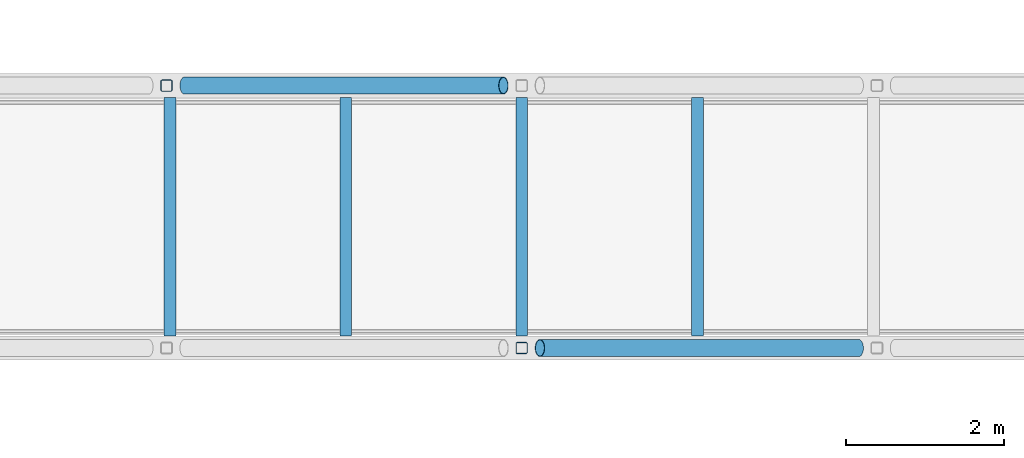
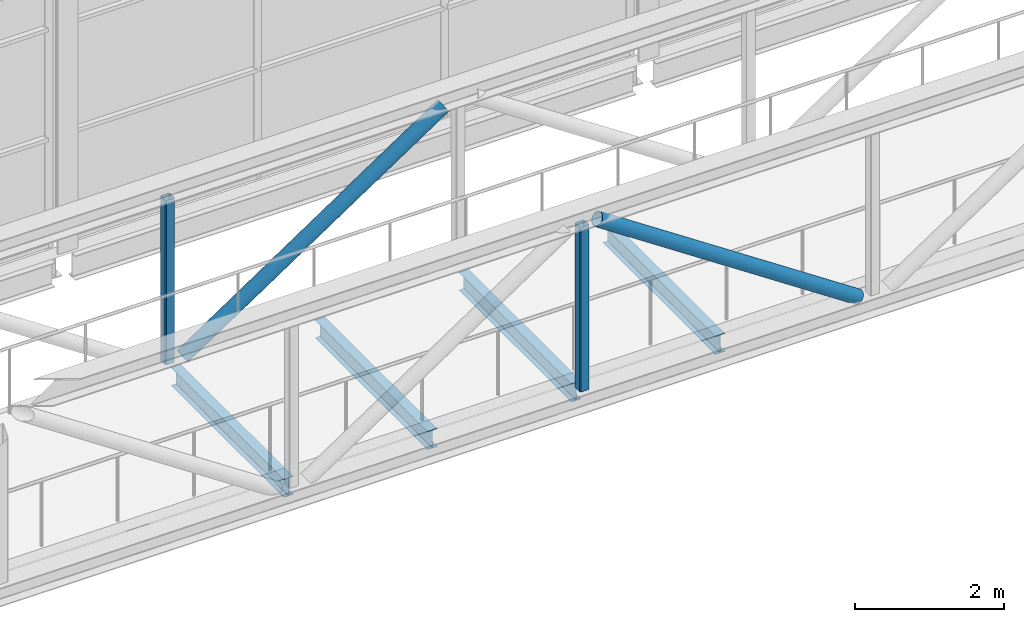
# One storey, part 53 of 115: 4 beams, 4 members.
"""IFC4 building model written with IfcOpenShell, lengths in metres."""

from ifc_helpers import new_model, si_unit, direction, frame, origin, origin_2d, place, context, subcontext, project, spatial, hollow_rectangle, hollow_circle, i_section, extrude, material, material_profile, profile_set, type_object, element, save


model = new_model("IFC4")

# Units and contexts
model_context = context("Model", 3, precision=1e-05, world=origin(), true_north=direction((0.0, 1.0)))
body_context = subcontext(model_context, "Body", "Model", "MODEL_VIEW")
ifc_project = project(units=[si_unit("LENGTHUNIT", "METRE"), si_unit("AREAUNIT", "SQUARE_METRE"), si_unit("VOLUMEUNIT", "CUBIC_METRE"), si_unit("PLANEANGLEUNIT", "RADIAN"), si_unit("MASSUNIT", "GRAM", prefix="KILO")], contexts=[model_context])

# Site, building, storey
site_placement = place(None, origin())
site = spatial("IfcSite", under=ifc_project, at=site_placement, CompositionType="ELEMENT")
building_placement = place(site_placement, origin())
building = spatial("IfcBuilding", under=site, at=building_placement, Name="Shorebreak Coast Museum", CompositionType="ELEMENT")
storey_placement = place(building_placement, frame((0.0, 0.0, 11.0)))
storey = spatial("IfcBuildingStorey", under=building, at=storey_placement, Name="L02", CompositionType="ELEMENT", Elevation=11.0)

# Beams
ifc_material_1 = material(Name="Steel Grade 300", Category="steel")
ifc_material_profile_1 = material_profile(ifc_material_1, i_section(OverallWidth=0.14892578125, OverallDepth=0.298095703125, WebThickness=0.005615234375, FlangeThickness=0.008056640625, FilletRadius=0.012939453125, at=origin_2d()), Name="310UB32.0")
ifc_profile_set_1 = profile_set([ifc_material_profile_1], Name="Steel Grade 300")
beam_type = type_object("IfcBeamType", Name="Atrium bridge cross beam 310UB32.0", PredefinedType="BEAM", material=ifc_profile_set_1)
for number, where, z_axis, x_axis, name in (
    (1, (81.04296875, 74.989990234375, -0.323974609375), (0.0, 1.0, 0.0), (-1.0, 0.0, 0.0), "Atrium bridge cross beam BR1 09"),
    (2, (83.271484375, 74.989990234375, -0.323974609375), (0.0, 1.0, 0.0), (-1.0, 0.0, 0.0), "Atrium bridge cross beam BR1 10"),
    (3, (85.5, 74.989990234375, -0.323974609375), (0.0, 1.0, 0.0), (-1.0, 0.0, 0.0), "Atrium bridge cross beam BR1 11"),
    (4, (87.728515625, 74.989990234375, -0.323974609375), (0.0, 1.0, 0.0), (-1.0, 0.0, 0.0), "Atrium bridge cross beam BR1 12"),
):
    element("IfcBeam", number, at=place(storey_placement, frame(where, z_axis=z_axis, x_axis=x_axis)), inside=storey, type_object=beam_type, Name=name, PredefinedType="BEAM", context=body_context, shape_type="SweptSolid", body=[
        extrude(i_section(OverallWidth=0.14892578125, OverallDepth=0.298095703125, WebThickness=0.005615234375, FlangeThickness=0.008056640625, FilletRadius=0.012939453125, at=origin_2d()), origin(), (0.0, 0.0, 1.0), 3.02001953125),
    ])

# Members
ifc_material_2 = material(Name="Steel Grade C350L0", Category="steel")
ifc_material_profile_2 = material_profile(ifc_material_2, hollow_circle(Radius=0.109619140625, WallThickness=0.00830078125, at=origin_2d()), Name="219.1x8.2 CHS")
ifc_profile_set_2 = profile_set([ifc_material_profile_2], Name="Steel Grade C350L0")
member_type_1 = type_object("IfcMemberType", Name="Atrium bridge truss diagonal 219.1x8.2 CHS", PredefinedType="BRACE", material=ifc_profile_set_2)
for number, where, z_axis, x_axis, name in (
    (5, (89.76904296875, 74.83740234375, -0.175048828125), (-0.832042555046, 0.0, 0.554711804987), (0.0, -1.0, 0.0), "Atrium bridge truss BR1 side A diagonal D06"),
    (6, (81.23095703125, 78.16259765625, -0.175048828125), (0.832042555046, 0.0, 0.554711804987), (0.0, 1.0, 0.0), "Atrium bridge truss BR1 side B diagonal D05"),
):
    element("IfcMember", number, at=place(storey_placement, frame(where, z_axis=z_axis, x_axis=x_axis)), inside=storey, type_object=member_type_1, Name=name, PredefinedType="BRACE", context=body_context, shape_type="SweptSolid", body=[
        extrude(hollow_circle(Radius=0.109619140625, WallThickness=0.00830078125, at=origin_2d()), origin(), (0.0, 0.0, 1.0), 4.853271484375),
    ])
ifc_material_3 = material(Name="Steel Grade C450L0", Category="steel")
ifc_material_profile_3 = material_profile(ifc_material_3, hollow_rectangle(XDim=0.14990234375, YDim=0.14990234375, WallThickness=0.009033203125, InnerFilletRadius=0.013427734375, OuterFilletRadius=0.0224609375, at=origin_2d()), Name="150x150x9.0 SHS")
ifc_profile_set_3 = profile_set([ifc_material_profile_3], Name="Steel Grade C450L0")
member_type_2 = type_object("IfcMemberType", Name="Atrium bridge truss strut 150x150x9.0 SHS", PredefinedType="STRUT", material=ifc_profile_set_3)
for number, where, z_axis, x_axis, name in (
    (7, (85.5, 74.83740234375, -0.175048828125), (0.0, 0.0, 1.0), (1.0, 0.0, 0.0), "Atrium bridge truss BR1 side A strut V06"),
    (8, (81.0, 78.16259765625, -0.175048828125), (0.0, 0.0, 1.0), (1.0, 0.0, 0.0), "Atrium bridge truss BR1 side B strut V05"),
):
    element("IfcMember", number, at=place(storey_placement, frame(where, z_axis=z_axis, x_axis=x_axis)), inside=storey, type_object=member_type_2, Name=name, PredefinedType="STRUT", context=body_context, shape_type="SweptSolid", body=[
        extrude(hollow_rectangle(XDim=0.14990234375, YDim=0.14990234375, WallThickness=0.009033203125, InnerFilletRadius=0.013427734375, OuterFilletRadius=0.0224609375, at=origin_2d()), origin(), (0.0, 0.0, 1.0), 2.692138671875),
    ])

save(model, "model.ifc")
